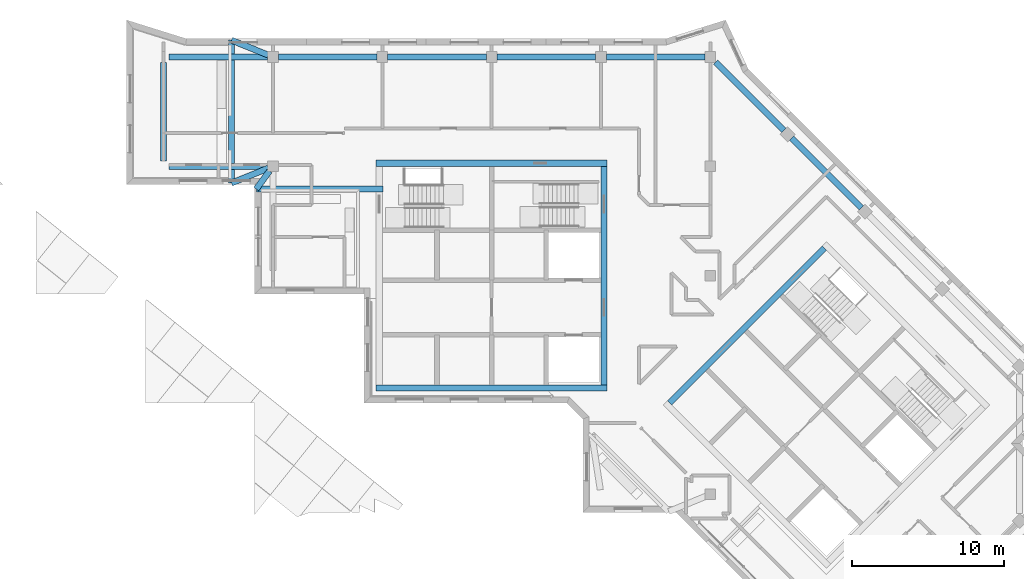
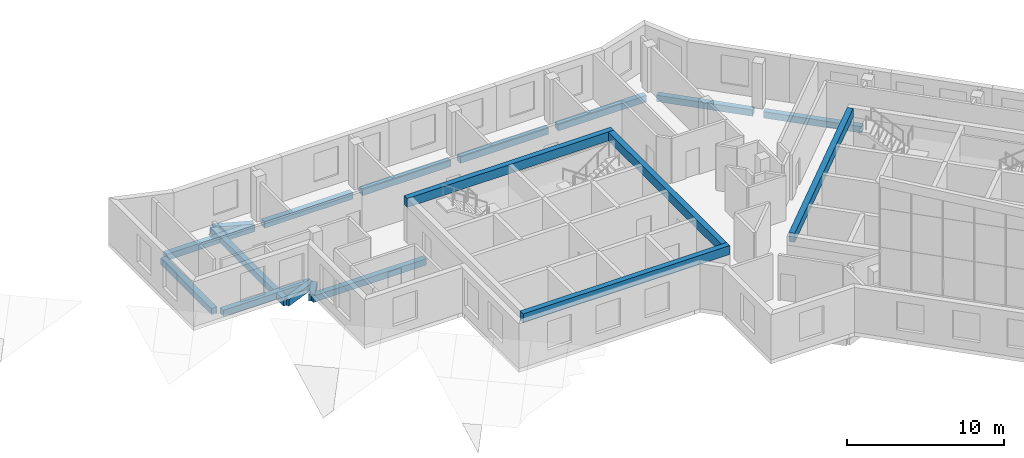
# One storey, part 3 of 13: 18 beams.
"""IFC4 building model written with IfcOpenShell, lengths in metres."""

import ifcopenshell
import ifcopenshell.guid

model = None  # the IFC model being written
_history = None  # IfcOwnerHistory: only IFC2X3 demands one
_inside = {}  # id of a spatial element -> (the spatial element, [elements in it])
_under = {}  # id of a project, library or spatial element -> (it, [spatial elements below it])
_declared = {}  # id of a project -> (the project, [libraries it declares])
_typed = {}  # id of a type object -> (the type object, [elements of that type])
_made_of = {}  # id of a material, layer set ... -> (it, [elements and type objects made of it])


def new_model(schema):
    """Start an empty IFC model of exactly this schema.

    Asked for "IFC4X3", IfcOpenShell would pick the latest addendum, in which some entities
    have other attributes; the version numbers below select the first issue.
    IFC2X3 requires an IfcOwnerHistory on every rooted entity: one is made here for all.
    """
    global model, _history
    if schema == "IFC4X3":
        model = ifcopenshell.file(schema_version=(4, 3, 0, 0))
    else:
        model = ifcopenshell.file(schema=schema)
    _inside.clear()
    _under.clear()
    _declared.clear()
    _typed.clear()
    _made_of.clear()
    _history = None
    if model.schema == "IFC2X3":
        org = make("IfcOrganization", Name="unknown")
        user = make(
            "IfcPersonAndOrganization",
            ThePerson=make("IfcPerson", FamilyName="unknown"),
            TheOrganization=org,
        )
        app = make(
            "IfcApplication",
            ApplicationDeveloper=org,
            Version="unknown",
            ApplicationFullName="unknown",
            ApplicationIdentifier="unknown",
        )
        _history = make(
            "IfcOwnerHistory",
            OwningUser=user,
            OwningApplication=app,
            ChangeAction="ADDED",
            CreationDate=0,
        )
    return model


def make(cls, **values):
    """One entity of the class cls with the attributes given. An attribute that is None is left unset."""
    return model.create_entity(
        cls, **{name: value for name, value in values.items() if value is not None}
    )


def rooted(cls, **values):
    """An entity with a GlobalId (a new one), such as an element, a storey or a relation."""
    return make(cls, GlobalId=ifcopenshell.guid.new(), OwnerHistory=_history, **values)


def si_unit(unit_type, name, prefix=None):
    """IfcSIUnit, for example si_unit("LENGTHUNIT", "METRE", prefix="MILLI")."""
    return make("IfcSIUnit", UnitType=unit_type, Prefix=prefix, Name=name)


def assignment(units):
    """IfcUnitAssignment: the units of a project."""
    return None if units is None else make("IfcUnitAssignment", Units=units)


def point(xyz):
    """IfcCartesianPoint."""
    return None if xyz is None else make("IfcCartesianPoint", Coordinates=xyz)


def direction(xyz):
    """IfcDirection."""
    return None if xyz is None else make("IfcDirection", DirectionRatios=xyz)


def frame(location, z_axis=None, x_axis=None):
    """IfcAxis2Placement3D, a coordinate frame: its origin and axes. An axis left out is left unset."""
    return make(
        "IfcAxis2Placement3D",
        Location=point(location),
        Axis=direction(z_axis),
        RefDirection=direction(x_axis),
    )


def frame_2d(location, x_axis=None):
    """IfcAxis2Placement2D, a coordinate frame in the plane: its origin and x axis."""
    return make(
        "IfcAxis2Placement2D", Location=point(location), RefDirection=direction(x_axis)
    )


def origin():
    """The frame at (0, 0, 0) with its axes left unset."""
    return frame((0.0, 0.0, 0.0))


def origin_2d():
    """The frame at (0, 0) in the plane with its x axis left unset."""
    return frame_2d((0.0, 0.0))


def place(relative_to, where):
    """IfcLocalPlacement: puts the frame where relative to a parent placement (None: the world)."""
    return make(
        "IfcLocalPlacement", PlacementRelTo=relative_to, RelativePlacement=where
    )


def context(
    kind, dimensions, precision=None, world=None, true_north=None, identifier=None
):
    """IfcGeometricRepresentationContext, for example the 3D "Model" context."""
    return make(
        "IfcGeometricRepresentationContext",
        ContextIdentifier=identifier,
        ContextType=kind,
        CoordinateSpaceDimension=dimensions,
        Precision=precision,
        WorldCoordinateSystem=world,
        TrueNorth=true_north,
    )


def subcontext(parent, identifier, kind, view, scale=None):
    """IfcGeometricRepresentationSubContext, for example "Body" below "Model"."""
    return make(
        "IfcGeometricRepresentationSubContext",
        ContextIdentifier=identifier,
        ContextType=kind,
        ParentContext=parent,
        TargetScale=scale,
        TargetView=view,
    )


def project(units=None, contexts=None):
    """IfcProject with its units and contexts."""
    return rooted(
        "IfcProject",
        Name="project",
        RepresentationContexts=contexts,
        UnitsInContext=assignment(units),
    )


def spatial(cls, under=None, at=None, **own):
    """A site, building, storey or space (cls), placed at a placement, below another one or the project."""
    s = rooted(cls, ObjectPlacement=at, **own)
    if under is not None:
        _under.setdefault(under.id(), (under, []))[1].append(s)
    return s


def profile(cls, at=None, kind="AREA", **sizes):
    """A parametric profile (cls). Its sizes go by their IFC names, for example OverallWidth=200.0."""
    return make(cls, ProfileType=kind, Position=at, **sizes)


def rectangle(**sizes):
    """IfcRectangleProfileDef."""
    return profile("IfcRectangleProfileDef", **sizes)


def extrude(swept, where, along, depth):
    """IfcExtrudedAreaSolid: the profile swept, set in the frame where, extruded along a direction by depth."""
    return make(
        "IfcExtrudedAreaSolid",
        SweptArea=swept,
        Position=where,
        ExtrudedDirection=direction(along),
        Depth=depth,
    )


def shape(context_of_items, identifier, shape_type, items):
    """IfcShapeRepresentation: the items that make up one representation, for example the "Body"."""
    return make(
        "IfcShapeRepresentation",
        ContextOfItems=context_of_items,
        RepresentationIdentifier=identifier,
        RepresentationType=shape_type,
        Items=items,
    )


def material(Name=None, Category=None):
    """IfcMaterial."""
    return make("IfcMaterial", Name=Name, Category=Category)


def material_profile(
    of_material, cross_section, Name=None, Category=None, Priority=None
):
    """IfcMaterialProfile: a cross section and its material."""
    return make(
        "IfcMaterialProfile",
        Name=Name,
        Material=of_material,
        Profile=cross_section,
        Priority=Priority,
        Category=Category,
    )


def profile_set(profiles, Name=None, composite=None):
    """IfcMaterialProfileSet."""
    return make(
        "IfcMaterialProfileSet",
        Name=Name,
        MaterialProfiles=profiles,
        CompositeProfile=composite,
    )


def made_of(thing, what):
    """Note that an element or type object is made of a material, layer set ...; save() writes the relation."""
    if what is not None:
        _made_of.setdefault(what.id(), (what, []))[1].append(thing)
    return thing


def type_object(cls, material=None, **own):
    """A type object (cls), such as IfcWallType, which elements share."""
    return made_of(rooted(cls, **own), material)


def element(
    cls,
    number,
    at=None,
    inside=None,
    cuts=None,
    type_object=None,
    material=None,
    context=None,
    identifier="Body",
    shape_type=None,
    held_by="IfcProductDefinitionShape",
    body=None,
    shapes=None,
    **own,
):
    """One element of the class cls, such as IfcWall. Its Tag is "e" and its number.

    at: its placement. inside: the storey or other place that contains it. cuts: it is an
    opening in that element (IfcRelVoidsElement). A single representation is given by context,
    identifier, shape_type and body (its items); several are given by shapes. held_by: the class
    of the entity that holds the representations. save() writes the other relations.
    """
    e = rooted(cls, Tag="e%d" % number, ObjectPlacement=at, **own)
    if body is not None:
        shapes = [shape(context, identifier, shape_type, body)]
    if shapes is not None:
        e.Representation = make(held_by, Representations=shapes)
    if inside is not None:
        _inside.setdefault(inside.id(), (inside, []))[1].append(e)
    if cuts is not None:
        rooted(
            "IfcRelVoidsElement", RelatingBuildingElement=cuts, RelatedOpeningElement=e
        )
    if type_object is not None:
        _typed.setdefault(type_object.id(), (type_object, []))[1].append(e)
    return made_of(e, material)


def aggregate(whole, parts):
    """IfcRelAggregates: a whole, such as a stair, and the parts it consists of."""
    return rooted("IfcRelAggregates", RelatingObject=whole, RelatedObjects=parts)


def save(model, path):
    """Write the relations noted so far, then the file.

    IfcRelAggregates (storeys below a building ...), IfcRelContainedInSpatialStructure (elements
    in a storey), IfcRelDefinesByType, IfcRelAssociatesMaterial and IfcRelDeclares: one each for
    every whole, place, type object, material and project.
    """
    for whole, parts in _under.values():
        aggregate(whole, parts)
    for where, things in _inside.values():
        rooted(
            "IfcRelContainedInSpatialStructure",
            RelatedElements=things,
            RelatingStructure=where,
        )
    for kind, things in _typed.values():
        rooted("IfcRelDefinesByType", RelatedObjects=things, RelatingType=kind)
    for what, things in _made_of.values():
        rooted("IfcRelAssociatesMaterial", RelatedObjects=things, RelatingMaterial=what)
    for by, libraries in _declared.values():
        rooted("IfcRelDeclares", RelatingContext=by, RelatedDefinitions=libraries)
    model.write(path)


model = new_model("IFC4")

# Units and contexts
model_context = context("Model", 3, precision=1e-05, world=origin(), true_north=direction((0.0, 1.0)))
body_context = subcontext(model_context, "Body", "Model", "MODEL_VIEW")
ifc_project = project(units=[si_unit("LENGTHUNIT", "METRE"), si_unit("AREAUNIT", "SQUARE_METRE"), si_unit("VOLUMEUNIT", "CUBIC_METRE"), si_unit("PLANEANGLEUNIT", "RADIAN"), si_unit("MASSUNIT", "GRAM", prefix="KILO")], contexts=[model_context])

# Site, building, storey
site_placement = place(None, origin())
site = spatial("IfcSite", under=ifc_project, at=site_placement, CompositionType="ELEMENT")
building_placement = place(site_placement, origin())
building = spatial("IfcBuilding", under=site, at=building_placement, Name="Windrow Commons", CompositionType="ELEMENT")
storey_placement = place(building_placement, frame((0.0, 0.0, 294.4)))
storey = spatial("IfcBuildingStorey", under=building, at=storey_placement, Name="L80", CompositionType="ELEMENT", Elevation=294.4)

# Beams
ifc_material_1 = material(Name="Concrete C40/50", Category="concrete")
ifc_material_profile_1 = material_profile(ifc_material_1, rectangle(XDim=0.4, YDim=0.7, at=origin_2d()))
ifc_profile_set_1 = profile_set([ifc_material_profile_1], Name="Concrete C40/50")
beam_type_1 = type_object("IfcBeamType", Name="RC COUPLING BEAM 400x700 C40/50", PredefinedType="LINTEL", material=ifc_profile_set_1)
for number, where, z_axis, x_axis, name in (
    (1, (57.2, 50.2, 3.15), (1.0, 0.0, 0.0), (0.0, 1.0, 0.0), "Core A coupling beam outer-S"),
    (2, (57.2, 65.0, 3.15), (1.0, 0.0, 0.0), (0.0, 1.0, 0.0), "Core A coupling beam outer-N"),
):
    element("IfcBeam", number, at=place(storey_placement, frame(where, z_axis=z_axis, x_axis=x_axis)), inside=storey, type_object=beam_type_1, Name=name, PredefinedType="LINTEL", context=body_context, shape_type="SweptSolid", body=[
        extrude(rectangle(XDim=0.4, YDim=0.7, at=origin_2d()), origin(), (0.0, 0.0, 1.0), 15.2),
    ])
beam_1_placement = place(storey_placement, frame((72.2, 50.4, 3.15), z_axis=(0.0, 1.0, 0.0), x_axis=(-1.0, 0.0, 0.0)))
element("IfcBeam", 3, at=beam_1_placement, inside=storey, type_object=beam_type_1, Name="Core A coupling beam outer-E", PredefinedType="LINTEL", context=body_context, shape_type="SweptSolid", body=[
    extrude(rectangle(XDim=0.4, YDim=0.7, at=origin_2d()), origin(), (0.0, 0.0, 1.0), 14.4),
])
beam_2_placement = place(storey_placement, frame((76.513, 49.2312, 3.15), z_axis=(0.7071067812, 0.7071067812, 0.0), x_axis=(-0.7071067812, 0.7071067812, 0.0)))
element("IfcBeam", 4, at=beam_2_placement, inside=storey, type_object=beam_type_1, Name="Core B coupling beam outer-W", PredefinedType="LINTEL", context=body_context, shape_type="SweptSolid", body=[
    extrude(rectangle(XDim=0.4, YDim=0.7, at=origin_2d()), origin(), (0.0, 0.0, 1.0), 14.3999),
])
ifc_material_2 = material(Name="Concrete C40/50", Category="concrete")
ifc_material_profile_2 = material_profile(ifc_material_2, rectangle(XDim=0.4, YDim=0.5, at=origin_2d()))
ifc_profile_set_2 = profile_set([ifc_material_profile_2], Name="Concrete C40/50")
beam_type_2 = type_object("IfcBeamType", Name="RC EDGE BEAM 400x500 C40/50", PredefinedType="SPANDREL", material=ifc_profile_set_2)
beam_3_placement = place(storey_placement, frame((47.667, 73.1, -0.55), z_axis=(0.0, -1.0, 0.0), x_axis=(1.0, 0.0, 0.0)))
element("IfcBeam", 5, at=beam_3_placement, inside=storey, type_object=beam_type_2, Name="Terrace base beam TR-L80-1", PredefinedType="SPANDREL", context=body_context, shape_type="SweptSolid", body=[
    extrude(rectangle(XDim=0.4, YDim=0.5, at=origin_2d()), origin(), (0.0, 0.0, 1.0), 9.4),
])
for number, where, z_axis, x_axis, name in (
    (6, (50.0964, 72.1222, -0.55), (-0.9276792496, 0.3733781058, 0.0), (-0.3733781058, -0.9276792496, 0.0), "Terrace base bracket beam TR-L80-1.1"),
    (7, (50.0964, 64.6778, -0.55), (-0.9276792496, -0.3733781058, 0.0), (0.3733781058, -0.9276792496, 0.0), "Terrace base bracket beam TR-L80-1.2"),
):
    element("IfcBeam", number, at=place(storey_placement, frame(where, z_axis=z_axis, x_axis=x_axis)), inside=storey, type_object=beam_type_2, Name=name, PredefinedType="SPANDREL", context=body_context, shape_type="SweptSolid", body=[
        extrude(rectangle(XDim=0.4, YDim=0.5, at=origin_2d()), origin(), (0.0, 0.0, 1.0), 2.6188),
    ])
beam_4_placement = place(storey_placement, frame((49.3, 63.3, -0.55), z_axis=(1.0, 0.0, 0.0), x_axis=(0.0, 1.0, 0.0)))
element("IfcBeam", 8, at=beam_4_placement, inside=storey, type_object=beam_type_2, Name="Terrace base beam TR-L80-2", PredefinedType="SPANDREL", context=body_context, shape_type="SweptSolid", body=[
    extrude(rectangle(XDim=0.4, YDim=0.5, at=origin_2d()), origin(), (0.0, 0.0, 1.0), 8.35),
])
beam_5_placement = place(storey_placement, frame((50.1729, 64.4903, -0.55), z_axis=(-0.5913695377, -0.8064006882, 0.0), x_axis=(0.8064006882, -0.5913695377, 0.0)))
element("IfcBeam", 9, at=beam_5_placement, inside=storey, type_object=beam_type_2, Name="Terrace base bracket beam TR-L80-2.1", PredefinedType="SPANDREL", context=body_context, shape_type="SweptSolid", body=[
    extrude(rectangle(XDim=0.4, YDim=0.5, at=origin_2d()), origin(), (0.0, 0.0, 1.0), 1.4761),
])
for number, where, z_axis, x_axis, name in (
    (10, (50.05, 64.8, -0.55), (-1.0, 0.0, 0.0), (0.0, -1.0, 0.0), "Edge beam L80 002"),
    (11, (43.2, 65.15, -0.55), (0.0, 1.0, 0.0), (-1.0, 0.0, 0.0), "Edge beam L80 003"),
    (12, (43.55, 72.0, -0.55), (1.0, 0.0, 0.0), (0.0, 1.0, 0.0), "Edge beam L80 004"),
    (13, (50.75, 72.0, -0.55), (1.0, 0.0, 0.0), (0.0, 1.0, 0.0), "Edge beam L80 005"),
    (14, (57.95, 72.0, -0.55), (1.0, 0.0, 0.0), (0.0, 1.0, 0.0), "Edge beam L80 006"),
    (15, (65.15, 72.0, -0.55), (1.0, 0.0, 0.0), (0.0, 1.0, 0.0), "Edge beam L80 007"),
    (16, (72.35, 72.0, -0.55), (1.0, 0.0, 0.0), (0.0, 1.0, 0.0), "Edge beam L80 008"),
):
    element("IfcBeam", number, at=place(storey_placement, frame(where, z_axis=z_axis, x_axis=x_axis)), inside=storey, type_object=beam_type_2, Name=name, PredefinedType="SPANDREL", context=body_context, shape_type="SweptSolid", body=[
        extrude(rectangle(XDim=0.4, YDim=0.5, at=origin_2d()), origin(), (0.0, 0.0, 1.0), 6.5),
    ])
beam_6_placement = place(storey_placement, frame((79.55, 71.65, -0.55), z_axis=(0.7071067812, -0.7071067812, 0.0), x_axis=(0.7071067812, 0.7071067812, 0.0)))
element("IfcBeam", 17, at=beam_6_placement, inside=storey, type_object=beam_type_2, Name="Edge beam L80 009", PredefinedType="SPANDREL", context=body_context, shape_type="SweptSolid", body=[
    extrude(rectangle(XDim=0.4, YDim=0.5, at=origin_2d()), origin(), (0.0, 0.0, 1.0), 6.3551),
])
beam_7_placement = place(storey_placement, frame((84.5387, 66.6613, -0.55), z_axis=(0.7071067812, -0.7071067812, 0.0), x_axis=(0.7071067812, 0.7071067812, 0.0)))
element("IfcBeam", 18, at=beam_7_placement, inside=storey, type_object=beam_type_2, Name="Edge beam L80 010", PredefinedType="SPANDREL", context=body_context, shape_type="SweptSolid", body=[
    extrude(rectangle(XDim=0.4, YDim=0.5, at=origin_2d()), origin(), (0.0, 0.0, 1.0), 6.4999),
])

save(model, "model.ifc")
